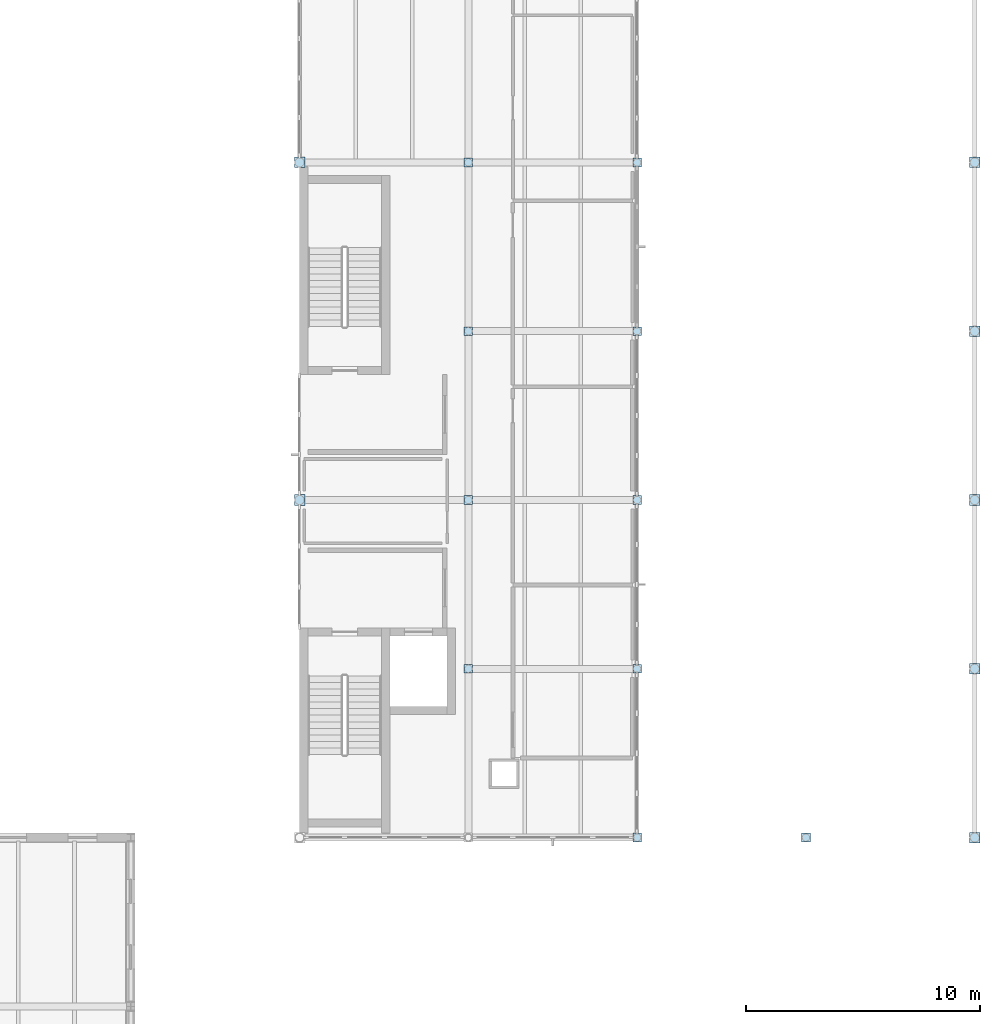
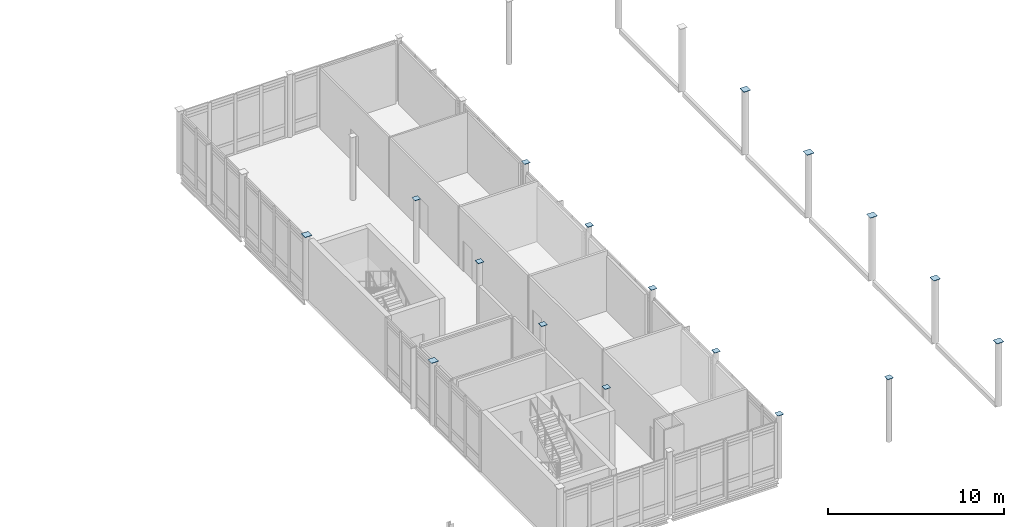
# One storey, part 47 of 76: 17 plates.
"""IFC4 building model written with IfcOpenShell, lengths in metres."""

import ifcopenshell
import ifcopenshell.guid

model = None  # the IFC model being written
_history = None  # IfcOwnerHistory: only IFC2X3 demands one
_inside = {}  # id of a spatial element -> (the spatial element, [elements in it])
_under = {}  # id of a project, library or spatial element -> (it, [spatial elements below it])
_declared = {}  # id of a project -> (the project, [libraries it declares])
_typed = {}  # id of a type object -> (the type object, [elements of that type])
_made_of = {}  # id of a material, layer set ... -> (it, [elements and type objects made of it])


def new_model(schema):
    """Start an empty IFC model of exactly this schema.

    Asked for "IFC4X3", IfcOpenShell would pick the latest addendum, in which some entities
    have other attributes; the version numbers below select the first issue.
    IFC2X3 requires an IfcOwnerHistory on every rooted entity: one is made here for all.
    """
    global model, _history
    if schema == "IFC4X3":
        model = ifcopenshell.file(schema_version=(4, 3, 0, 0))
    else:
        model = ifcopenshell.file(schema=schema)
    _inside.clear()
    _under.clear()
    _declared.clear()
    _typed.clear()
    _made_of.clear()
    _history = None
    if model.schema == "IFC2X3":
        org = make("IfcOrganization", Name="unknown")
        user = make(
            "IfcPersonAndOrganization",
            ThePerson=make("IfcPerson", FamilyName="unknown"),
            TheOrganization=org,
        )
        app = make(
            "IfcApplication",
            ApplicationDeveloper=org,
            Version="unknown",
            ApplicationFullName="unknown",
            ApplicationIdentifier="unknown",
        )
        _history = make(
            "IfcOwnerHistory",
            OwningUser=user,
            OwningApplication=app,
            ChangeAction="ADDED",
            CreationDate=0,
        )
    return model


def make(cls, **values):
    """One entity of the class cls with the attributes given. An attribute that is None is left unset."""
    return model.create_entity(
        cls, **{name: value for name, value in values.items() if value is not None}
    )


def rooted(cls, **values):
    """An entity with a GlobalId (a new one), such as an element, a storey or a relation."""
    return make(cls, GlobalId=ifcopenshell.guid.new(), OwnerHistory=_history, **values)


def si_unit(unit_type, name, prefix=None):
    """IfcSIUnit, for example si_unit("LENGTHUNIT", "METRE", prefix="MILLI")."""
    return make("IfcSIUnit", UnitType=unit_type, Prefix=prefix, Name=name)


def assignment(units):
    """IfcUnitAssignment: the units of a project."""
    return None if units is None else make("IfcUnitAssignment", Units=units)


def point(xyz):
    """IfcCartesianPoint."""
    return None if xyz is None else make("IfcCartesianPoint", Coordinates=xyz)


def direction(xyz):
    """IfcDirection."""
    return None if xyz is None else make("IfcDirection", DirectionRatios=xyz)


def frame(location, z_axis=None, x_axis=None):
    """IfcAxis2Placement3D, a coordinate frame: its origin and axes. An axis left out is left unset."""
    return make(
        "IfcAxis2Placement3D",
        Location=point(location),
        Axis=direction(z_axis),
        RefDirection=direction(x_axis),
    )


def frame_2d(location, x_axis=None):
    """IfcAxis2Placement2D, a coordinate frame in the plane: its origin and x axis."""
    return make(
        "IfcAxis2Placement2D", Location=point(location), RefDirection=direction(x_axis)
    )


def origin():
    """The frame at (0, 0, 0) with its axes left unset."""
    return frame((0.0, 0.0, 0.0))


def origin_2d():
    """The frame at (0, 0) in the plane with its x axis left unset."""
    return frame_2d((0.0, 0.0))


def place(relative_to, where):
    """IfcLocalPlacement: puts the frame where relative to a parent placement (None: the world)."""
    return make(
        "IfcLocalPlacement", PlacementRelTo=relative_to, RelativePlacement=where
    )


def context(
    kind, dimensions, precision=None, world=None, true_north=None, identifier=None
):
    """IfcGeometricRepresentationContext, for example the 3D "Model" context."""
    return make(
        "IfcGeometricRepresentationContext",
        ContextIdentifier=identifier,
        ContextType=kind,
        CoordinateSpaceDimension=dimensions,
        Precision=precision,
        WorldCoordinateSystem=world,
        TrueNorth=true_north,
    )


def subcontext(parent, identifier, kind, view, scale=None):
    """IfcGeometricRepresentationSubContext, for example "Body" below "Model"."""
    return make(
        "IfcGeometricRepresentationSubContext",
        ContextIdentifier=identifier,
        ContextType=kind,
        ParentContext=parent,
        TargetScale=scale,
        TargetView=view,
    )


def project(units=None, contexts=None):
    """IfcProject with its units and contexts."""
    return rooted(
        "IfcProject",
        Name="project",
        RepresentationContexts=contexts,
        UnitsInContext=assignment(units),
    )


def spatial(cls, under=None, at=None, **own):
    """A site, building, storey or space (cls), placed at a placement, below another one or the project."""
    s = rooted(cls, ObjectPlacement=at, **own)
    if under is not None:
        _under.setdefault(under.id(), (under, []))[1].append(s)
    return s


def profile(cls, at=None, kind="AREA", **sizes):
    """A parametric profile (cls). Its sizes go by their IFC names, for example OverallWidth=200.0."""
    return make(cls, ProfileType=kind, Position=at, **sizes)


def rectangle(**sizes):
    """IfcRectangleProfileDef."""
    return profile("IfcRectangleProfileDef", **sizes)


def extrude(swept, where, along, depth):
    """IfcExtrudedAreaSolid: the profile swept, set in the frame where, extruded along a direction by depth."""
    return make(
        "IfcExtrudedAreaSolid",
        SweptArea=swept,
        Position=where,
        ExtrudedDirection=direction(along),
        Depth=depth,
    )


def shape(context_of_items, identifier, shape_type, items):
    """IfcShapeRepresentation: the items that make up one representation, for example the "Body"."""
    return make(
        "IfcShapeRepresentation",
        ContextOfItems=context_of_items,
        RepresentationIdentifier=identifier,
        RepresentationType=shape_type,
        Items=items,
    )


def material(Name=None, Category=None):
    """IfcMaterial."""
    return make("IfcMaterial", Name=Name, Category=Category)


def layer(
    of_material, thickness, ventilated=None, Name=None, Category=None, Priority=None
):
    """IfcMaterialLayer: one layer of a wall or slab, of a material (None: an air gap)."""
    return make(
        "IfcMaterialLayer",
        Material=of_material,
        LayerThickness=thickness,
        IsVentilated=ventilated,
        Name=Name,
        Category=Category,
        Priority=Priority,
    )


def layer_set(layers, Name=None):
    """IfcMaterialLayerSet."""
    return make("IfcMaterialLayerSet", MaterialLayers=layers, LayerSetName=Name)


def made_of(thing, what):
    """Note that an element or type object is made of a material, layer set ...; save() writes the relation."""
    if what is not None:
        _made_of.setdefault(what.id(), (what, []))[1].append(thing)
    return thing


def type_object(cls, material=None, **own):
    """A type object (cls), such as IfcWallType, which elements share."""
    return made_of(rooted(cls, **own), material)


def element(
    cls,
    number,
    at=None,
    inside=None,
    cuts=None,
    type_object=None,
    material=None,
    context=None,
    identifier="Body",
    shape_type=None,
    held_by="IfcProductDefinitionShape",
    body=None,
    shapes=None,
    **own,
):
    """One element of the class cls, such as IfcWall. Its Tag is "e" and its number.

    at: its placement. inside: the storey or other place that contains it. cuts: it is an
    opening in that element (IfcRelVoidsElement). A single representation is given by context,
    identifier, shape_type and body (its items); several are given by shapes. held_by: the class
    of the entity that holds the representations. save() writes the other relations.
    """
    e = rooted(cls, Tag="e%d" % number, ObjectPlacement=at, **own)
    if body is not None:
        shapes = [shape(context, identifier, shape_type, body)]
    if shapes is not None:
        e.Representation = make(held_by, Representations=shapes)
    if inside is not None:
        _inside.setdefault(inside.id(), (inside, []))[1].append(e)
    if cuts is not None:
        rooted(
            "IfcRelVoidsElement", RelatingBuildingElement=cuts, RelatedOpeningElement=e
        )
    if type_object is not None:
        _typed.setdefault(type_object.id(), (type_object, []))[1].append(e)
    return made_of(e, material)


def aggregate(whole, parts):
    """IfcRelAggregates: a whole, such as a stair, and the parts it consists of."""
    return rooted("IfcRelAggregates", RelatingObject=whole, RelatedObjects=parts)


def save(model, path):
    """Write the relations noted so far, then the file.

    IfcRelAggregates (storeys below a building ...), IfcRelContainedInSpatialStructure (elements
    in a storey), IfcRelDefinesByType, IfcRelAssociatesMaterial and IfcRelDeclares: one each for
    every whole, place, type object, material and project.
    """
    for whole, parts in _under.values():
        aggregate(whole, parts)
    for where, things in _inside.values():
        rooted(
            "IfcRelContainedInSpatialStructure",
            RelatedElements=things,
            RelatingStructure=where,
        )
    for kind, things in _typed.values():
        rooted("IfcRelDefinesByType", RelatedObjects=things, RelatingType=kind)
    for what, things in _made_of.values():
        rooted("IfcRelAssociatesMaterial", RelatedObjects=things, RelatingMaterial=what)
    for by, libraries in _declared.values():
        rooted("IfcRelDeclares", RelatingContext=by, RelatedDefinitions=libraries)
    model.write(path)


model = new_model("IFC4")

# Units and contexts
model_context = context("Model", 3, precision=1e-05, world=origin(), true_north=direction((0.0, 1.0)))
body_context = subcontext(model_context, "Body", "Model", "MODEL_VIEW")
ifc_project = project(units=[si_unit("LENGTHUNIT", "METRE"), si_unit("AREAUNIT", "SQUARE_METRE"), si_unit("VOLUMEUNIT", "CUBIC_METRE"), si_unit("PLANEANGLEUNIT", "RADIAN"), si_unit("MASSUNIT", "GRAM", prefix="KILO")], contexts=[model_context])

# Site, building, storey
site_placement = place(None, origin())
site = spatial("IfcSite", under=ifc_project, at=site_placement, CompositionType="ELEMENT")
building_placement = place(site_placement, origin())
building = spatial("IfcBuilding", under=site, at=building_placement, Name="Zarrinpeak Specialist Clinic", CompositionType="ELEMENT")
storey_placement = place(building_placement, frame((0.0, 0.0, 5.199951171875)))
storey = spatial("IfcBuildingStorey", under=building, at=storey_placement, Name="L01", CompositionType="ELEMENT", Elevation=5.199951171875)

# Plates
ifc_material = material(Name="Steel S355", Category="steel")
ifc_layer_1 = layer(ifc_material, 0.02001953125)
ifc_layer_set_1 = layer_set([ifc_layer_1], Name="Steel S355")
plate_type_1 = type_object("IfcPlateType", Name="PL-CAP324", PredefinedType="SHEET", material=ifc_layer_set_1)
for number, where, z_axis, x_axis, name in (
    (1, (100.800048828125, 36.0, 4.39599609375), (0.0, 0.0, 1.0), (1.0, 0.0, 0.0), "L01 Hollow Column Top Cap Plate CCAP-T-072"),
    (2, (100.800048828125, 43.199951171875, 4.39599609375), (0.0, 0.0, 1.0), (1.0, 0.0, 0.0), "L01 Hollow Column Top Cap Plate CCAP-T-073"),
    (3, (100.800048828125, 50.39990234375, 4.39599609375), (0.0, 0.0, 1.0), (1.0, 0.0, 0.0), "L01 Hollow Column Top Cap Plate CCAP-T-074"),
    (4, (100.800048828125, 57.60009765625, 4.39599609375), (0.0, 0.0, 1.0), (1.0, 0.0, 0.0), "L01 Hollow Column Top Cap Plate CCAP-T-075"),
    (5, (108.0, 28.800048828125, 4.39599609375), (0.0, 0.0, 1.0), (1.0, 0.0, 0.0), "L01 Hollow Column Top Cap Plate CCAP-T-078"),
    (6, (108.0, 36.0, 4.39599609375), (0.0, 0.0, 1.0), (1.0, 0.0, 0.0), "L01 Hollow Column Top Cap Plate CCAP-T-079"),
    (7, (108.0, 43.199951171875, 4.39599609375), (0.0, 0.0, 1.0), (1.0, 0.0, 0.0), "L01 Hollow Column Top Cap Plate CCAP-T-080"),
    (8, (108.0, 50.39990234375, 4.39599609375), (0.0, 0.0, 1.0), (1.0, 0.0, 0.0), "L01 Hollow Column Top Cap Plate CCAP-T-081"),
    (9, (108.0, 57.60009765625, 4.39599609375), (0.0, 0.0, 1.0), (1.0, 0.0, 0.0), "L01 Hollow Column Top Cap Plate CCAP-T-082"),
    (10, (115.199951171875, 28.800048828125, 4.39599609375), (0.0, 0.0, 1.0), (1.0, 0.0, 0.0), "L01 Hollow Column Top Cap Plate CCAP-T-085"),
):
    element("IfcPlate", number, at=place(storey_placement, frame(where, z_axis=z_axis, x_axis=x_axis)), inside=storey, type_object=plate_type_1, Name=name, PredefinedType="SHEET", context=body_context, shape_type="SweptSolid", body=[
        extrude(rectangle(XDim=0.3701171875, YDim=0.3701171875, at=origin_2d()), origin(), (0.0, 0.0, 1.0), 0.02001953125),
    ])
ifc_layer_2 = layer(ifc_material, 0.02197265625)
ifc_layer_set_2 = layer_set([ifc_layer_2], Name="Steel S355")
plate_type_2 = type_object("IfcPlateType", Name="PL-CAP406", PredefinedType="SHEET", material=ifc_layer_set_2)
for number, where, z_axis, x_axis, name in (
    (11, (93.60009765625, 43.199951171875, 4.39599609375), (0.0, 0.0, 1.0), (1.0, 0.0, 0.0), "L01 Hollow Column Top Cap Plate CCAP-T-067"),
    (12, (93.60009765625, 57.60009765625, 4.39599609375), (0.0, 0.0, 1.0), (1.0, 0.0, 0.0), "L01 Hollow Column Top Cap Plate CCAP-T-068"),
    (13, (122.39990234375, 28.800048828125, 4.39599609375), (0.0, 0.0, 1.0), (1.0, 0.0, 0.0), "L01 Hollow Column Top Cap Plate CCAP-T-087"),
    (14, (122.39990234375, 36.0, 4.39599609375), (0.0, 0.0, 1.0), (1.0, 0.0, 0.0), "L01 Hollow Column Top Cap Plate CCAP-T-088"),
    (15, (122.39990234375, 43.199951171875, 4.39599609375), (0.0, 0.0, 1.0), (1.0, 0.0, 0.0), "L01 Hollow Column Top Cap Plate CCAP-T-089"),
    (16, (122.39990234375, 50.39990234375, 4.39599609375), (0.0, 0.0, 1.0), (1.0, 0.0, 0.0), "L01 Hollow Column Top Cap Plate CCAP-T-090"),
    (17, (122.39990234375, 57.60009765625, 4.39599609375), (0.0, 0.0, 1.0), (1.0, 0.0, 0.0), "L01 Hollow Column Top Cap Plate CCAP-T-091"),
):
    element("IfcPlate", number, at=place(storey_placement, frame(where, z_axis=z_axis, x_axis=x_axis)), inside=storey, type_object=plate_type_2, Name=name, PredefinedType="SHEET", context=body_context, shape_type="SweptSolid", body=[
        extrude(rectangle(XDim=0.449951171875, YDim=0.449951171875, at=origin_2d()), origin(), (0.0, 0.0, 1.0), 0.02197265625),
    ])

save(model, "model.ifc")
